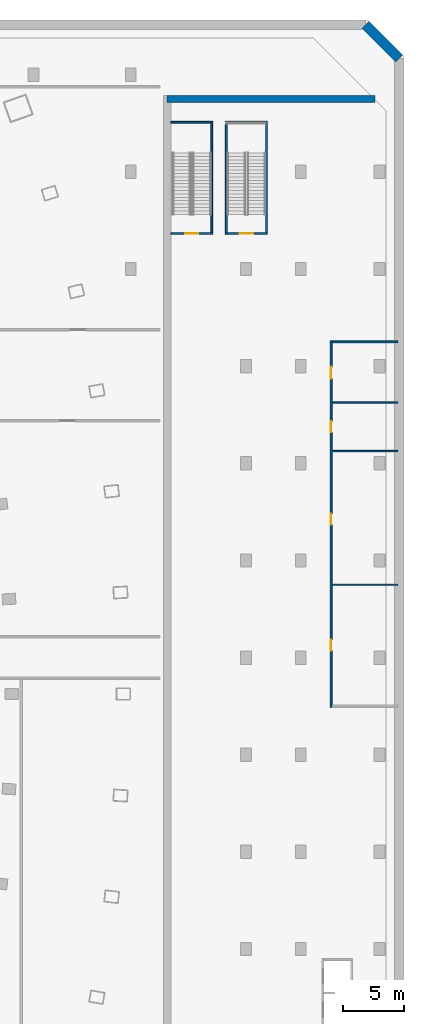
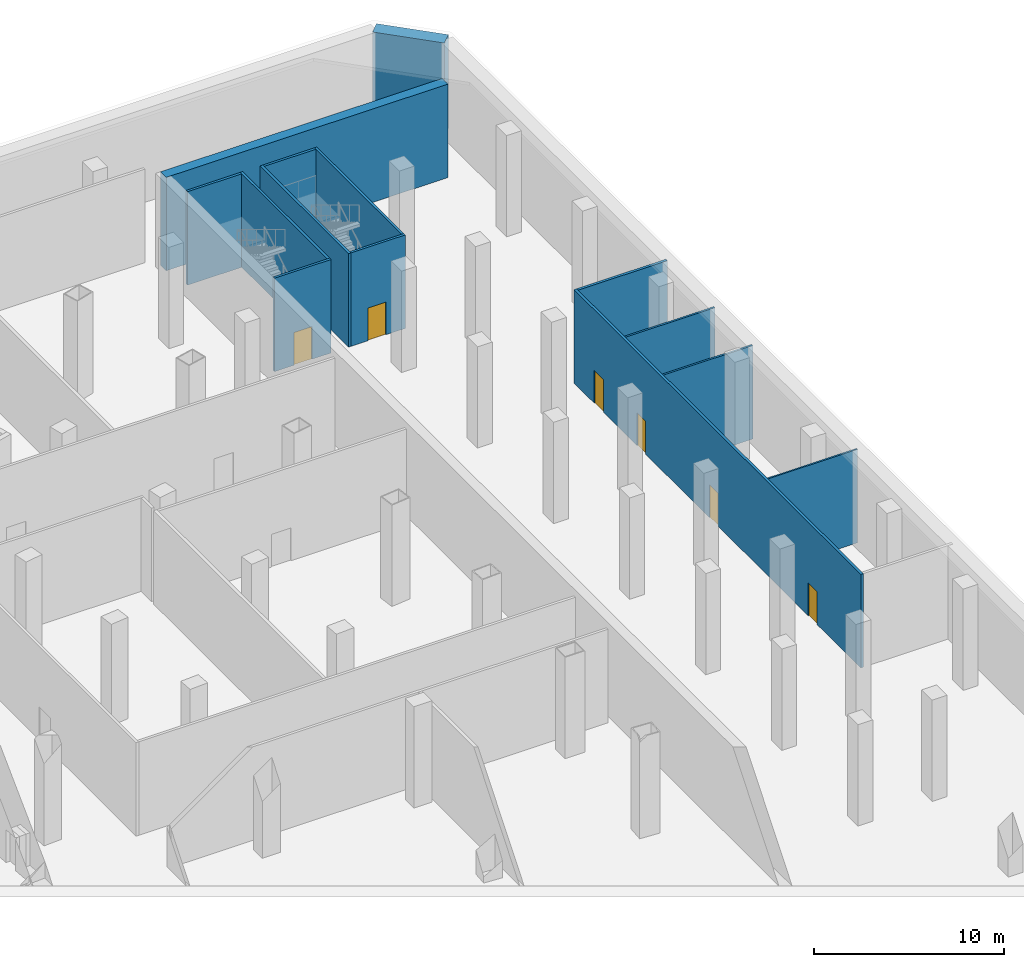
# One storey, part 10 of 16: 14 walls, 6 doors, 6 openings.
"""IFC4 building model written with IfcOpenShell, lengths in metres."""

from ifc_helpers import new_model, si_unit, direction, frame, frame_2d, origin, place, context, subcontext, project, spatial, rectangle, extrude, material, layer, layer_set, type_object, element, fill, save


model = new_model("IFC4")

# Units and contexts
model_context = context("Model", 3, precision=1e-05, world=origin(), true_north=direction((0.0, 1.0)))
body_context = subcontext(model_context, "Body", "Model", "MODEL_VIEW")
ifc_project = project(units=[si_unit("LENGTHUNIT", "METRE"), si_unit("AREAUNIT", "SQUARE_METRE"), si_unit("VOLUMEUNIT", "CUBIC_METRE"), si_unit("PLANEANGLEUNIT", "RADIAN"), si_unit("MASSUNIT", "GRAM", prefix="KILO")], contexts=[model_context])

# Site, building, storey
site_placement = place(None, origin())
site = spatial("IfcSite", under=ifc_project, at=site_placement, CompositionType="ELEMENT")
building_placement = place(site_placement, origin())
building = spatial("IfcBuilding", under=site, at=building_placement, Name="Alderwake Tower", CompositionType="ELEMENT")
storey_placement = place(building_placement, frame((0.0, 0.0, -6.5)))
storey = spatial("IfcBuildingStorey", under=building, at=storey_placement, Name="B1", CompositionType="ELEMENT", Elevation=-6.5)

# Wall
ifc_material_1 = material(Name="Concrete C50/60", Category="concrete")
ifc_layer_1 = layer(ifc_material_1, 0.800048828125)
ifc_layer_set_1 = layer_set([ifc_layer_1], Name="Basement retaining wall 800")
wall_type_1 = type_object("IfcWallType", Name="Basement retaining wall 800", PredefinedType="SOLIDWALL", material=ifc_layer_set_1)
wall_1_placement = place(storey_placement, frame((83.334228515625, 116.10009765625, 0.0), z_axis=(0.0, 0.0, 1.0), x_axis=(0.707106781187, -0.707106781187, 0.0)))
element("IfcWall", 1, at=wall_1_placement, inside=storey, type_object=wall_type_1, Name="Retaining wall 5", PredefinedType="SOLIDWALL", context=body_context, shape_type="SweptSolid", body=[
    extrude(rectangle(XDim=3.91162109375, YDim=0.800048828125, at=frame_2d((1.955810546875, 0.0))), origin(), (0.0, 0.0, 1.0), 6.0),
])

# Wall, openings, doors
ifc_material_2 = material(Name="Gypsum board on metal studs, rated")
ifc_layer_2 = layer(ifc_material_2, 0.159912109375)
ifc_layer_set_2 = layer_set([ifc_layer_2], Name="Corridor wall 160")
wall_type_2 = type_object("IfcWallType", Name="Corridor wall 160", PredefinedType="PARTITIONING", material=ifc_layer_set_2)
wall_2_placement = place(storey_placement, frame((80.4990234375, 59.919921875, 0.0), z_axis=(0.0, 0.0, 1.0), x_axis=(0.0, 1.0, 0.0)))
wall_2 = element("IfcWall", 2, at=wall_2_placement, inside=storey, type_object=wall_type_2, Name="WL/B1/W57", PredefinedType="PARTITIONING", context=body_context, shape_type="SweptSolid", body=[
    extrude(rectangle(XDim=30.16015625, YDim=0.159912109375, at=frame_2d((15.080078125, 0.0))), origin(), (0.0, 0.0, 1.0), 6.0),
])
opening_1_placement = place(wall_2_placement, frame((4.6298828125, 0.0, 0.0)))
opening_1 = element("IfcOpeningElement", 3, at=opening_1_placement, cuts=wall_2, Name="Opening B1-06", PredefinedType="OPENING", context=body_context, shape_type="SweptSolid", body=[
    extrude(rectangle(XDim=0.89990234375, YDim=2.10009765625, at=frame_2d((0.449951171875, 1.050048828125))), frame((0.0, 0.08984375, 0.0), z_axis=(0.0, -1.0, 0.0), x_axis=(1.0, 0.0, 0.0)), (0.0, 0.0, 1.0), 0.179931640625),
])
opening_2_placement = place(wall_2_placement, frame((15.030029296875, 0.0, 0.0)))
opening_2 = element("IfcOpeningElement", 4, at=opening_2_placement, cuts=wall_2, Name="Opening B1-07", PredefinedType="OPENING", context=body_context, shape_type="SweptSolid", body=[
    extrude(rectangle(XDim=0.89990234375, YDim=2.10009765625, at=frame_2d((0.449951171875, 1.050048828125))), frame((0.0, 0.08984375, 0.0), z_axis=(0.0, -1.0, 0.0), x_axis=(1.0, 0.0, 0.0)), (0.0, 0.0, 1.0), 0.179931640625),
])
opening_3_placement = place(wall_2_placement, frame((22.6298828125, 0.0, 0.0)))
opening_3 = element("IfcOpeningElement", 5, at=opening_3_placement, cuts=wall_2, Name="Opening B1-08", PredefinedType="OPENING", context=body_context, shape_type="SweptSolid", body=[
    extrude(rectangle(XDim=0.89990234375, YDim=2.10009765625, at=frame_2d((0.449951171875, 1.050048828125))), frame((0.0, 0.08984375, 0.0), z_axis=(0.0, -1.0, 0.0), x_axis=(1.0, 0.0, 0.0)), (0.0, 0.0, 1.0), 0.179931640625),
])
opening_4_placement = place(wall_2_placement, frame((27.030029296875, 0.0, 0.0)))
opening_4 = element("IfcOpeningElement", 6, at=opening_4_placement, cuts=wall_2, Name="Opening B1-09", PredefinedType="OPENING", context=body_context, shape_type="SweptSolid", body=[
    extrude(rectangle(XDim=1.0, YDim=2.10009765625, at=frame_2d((0.5, 1.050048828125))), frame((0.0, 0.08984375, 0.0), z_axis=(0.0, -1.0, 0.0), x_axis=(1.0, 0.0, 0.0)), (0.0, 0.0, 1.0), 0.179931640625),
])
ifc_material_3 = material(Name="Painted timber leaf", Category="wood")
door_type_1 = type_object("IfcDoorType", Name="Accessible WC door 1000", OperationType="SINGLE_SWING_LEFT", PredefinedType="DOOR", material=ifc_material_3)
door_1_placement = place(opening_4_placement, origin())
door_1 = element("IfcDoor", 7, at=door_1_placement, inside=storey, type_object=door_type_1, Name="DR/B1/09", OperationType="SINGLE_SWING_LEFT", OverallHeight=2.10009765625, OverallWidth=1.0, PredefinedType="DOOR", context=body_context, shape_type="SweptSolid", body=[
    extrude(rectangle(XDim=1.0, YDim=2.10009765625, at=frame_2d((0.5, 1.050048828125))), frame((0.0, 0.02490234375, 0.0), z_axis=(0.0, -1.0, 0.0), x_axis=(1.0, 0.0, 0.0)), (0.0, 0.0, 1.0), 0.050048828125),
])
fill(opening_4, door_1)
ifc_material_4 = material(Name="Painted timber leaf", Category="wood")
door_type_2 = type_object("IfcDoorType", Name="Room door 900", OperationType="SINGLE_SWING_LEFT", PredefinedType="DOOR", material=ifc_material_4)
door_2_placement = place(opening_1_placement, origin())
door_2 = element("IfcDoor", 8, at=door_2_placement, inside=storey, type_object=door_type_2, Name="DR/B1/06", OperationType="SINGLE_SWING_LEFT", OverallHeight=2.10009765625, OverallWidth=0.89990234375, PredefinedType="DOOR", context=body_context, shape_type="SweptSolid", body=[
    extrude(rectangle(XDim=0.89990234375, YDim=2.10009765625, at=frame_2d((0.449951171875, 1.050048828125))), frame((0.0, 0.02490234375, 0.0), z_axis=(0.0, -1.0, 0.0), x_axis=(1.0, 0.0, 0.0)), (0.0, 0.0, 1.0), 0.050048828125),
])
fill(opening_1, door_2)
door_3_placement = place(opening_2_placement, origin())
door_3 = element("IfcDoor", 9, at=door_3_placement, inside=storey, type_object=door_type_2, Name="DR/B1/07", OperationType="SINGLE_SWING_LEFT", OverallHeight=2.10009765625, OverallWidth=0.89990234375, PredefinedType="DOOR", context=body_context, shape_type="SweptSolid", body=[
    extrude(rectangle(XDim=0.89990234375, YDim=2.10009765625, at=frame_2d((0.449951171875, 1.050048828125))), frame((0.0, 0.02490234375, 0.0), z_axis=(0.0, -1.0, 0.0), x_axis=(1.0, 0.0, 0.0)), (0.0, 0.0, 1.0), 0.050048828125),
])
fill(opening_2, door_3)
door_4_placement = place(opening_3_placement, origin())
door_4 = element("IfcDoor", 10, at=door_4_placement, inside=storey, type_object=door_type_2, Name="DR/B1/08", OperationType="SINGLE_SWING_LEFT", OverallHeight=2.10009765625, OverallWidth=0.89990234375, PredefinedType="DOOR", context=body_context, shape_type="SweptSolid", body=[
    extrude(rectangle(XDim=0.89990234375, YDim=2.10009765625, at=frame_2d((0.449951171875, 1.050048828125))), frame((0.0, 0.02490234375, 0.0), z_axis=(0.0, -1.0, 0.0), x_axis=(1.0, 0.0, 0.0)), (0.0, 0.0, 1.0), 0.050048828125),
])
fill(opening_3, door_4)

# Wall
wall_3_placement = place(storey_placement, frame((80.5791015625, 90.0, 0.0), z_axis=(0.0, 0.0, 1.0), x_axis=(1.0, 0.0, 0.0)))
element("IfcWall", 11, at=wall_3_placement, inside=storey, type_object=wall_type_2, Name="WL/B1/W58", PredefinedType="PARTITIONING", context=body_context, shape_type="SweptSolid", body=[
    extrude(rectangle(XDim=5.421875, YDim=0.159912109375, at=frame_2d((2.7109375, 0.0))), origin(), (0.0, 0.0, 1.0), 6.0),
])

# Wall, opening, door
ifc_material_5 = material(Name="Gypsum shaft wall system, rated")
ifc_layer_3 = layer(ifc_material_5, 0.14990234375)
ifc_layer_set_3 = layer_set([ifc_layer_3], Name="Riser and shaft wall 150")
wall_type_3 = type_object("IfcWallType", Name="Riser and shaft wall 150", PredefinedType="PARTITIONING", material=ifc_layer_set_3)
wall_4_placement = place(storey_placement, frame((70.7490234375, 98.925048828125, 0.0), z_axis=(0.0, 0.0, 1.0), x_axis=(-1.0, 0.0, 0.0)))
wall_4 = element("IfcWall", 12, at=wall_4_placement, inside=storey, type_object=wall_type_3, Name="WL/B1/W12", PredefinedType="PARTITIONING", context=body_context, shape_type="SweptSolid", body=[
    extrude(rectangle(XDim=3.448974609375, YDim=0.14990234375, at=frame_2d((1.724609375, 0.0))), origin(), (0.0, 0.0, 1.0), 6.0),
])
opening_5_placement = place(wall_4_placement, frame((1.174072265625, 0.0, 0.0)))
opening_5 = element("IfcOpeningElement", 13, at=opening_5_placement, cuts=wall_4, Name="Opening B1-13", PredefinedType="OPENING", context=body_context, shape_type="SweptSolid", body=[
    extrude(rectangle(XDim=1.10009765625, YDim=2.10009765625, at=frame_2d((0.550048828125, 1.050048828125))), frame((0.0, 0.0849609375, 0.0), z_axis=(0.0, -1.0, 0.0), x_axis=(1.0, 0.0, 0.0)), (0.0, 0.0, 1.0), 0.169921875),
])
ifc_material_6 = material(Name="Steel-framed fire door leaf", Category="steel")
door_type_3 = type_object("IfcDoorType", Name="Stair door 1100 fire-rated", OperationType="SINGLE_SWING_LEFT", PredefinedType="DOOR", material=ifc_material_6)
door_5_placement = place(opening_5_placement, origin())
door_5 = element("IfcDoor", 14, at=door_5_placement, inside=storey, type_object=door_type_3, Name="DR/B1/13", OperationType="SINGLE_SWING_LEFT", OverallHeight=2.10009765625, OverallWidth=1.10009765625, PredefinedType="DOOR", context=body_context, shape_type="SweptSolid", body=[
    extrude(rectangle(XDim=1.10009765625, YDim=2.10009765625, at=frame_2d((0.550048828125, 1.050048828125))), frame((0.0, 0.02490234375, 0.0), z_axis=(0.0, -1.0, 0.0), x_axis=(1.0, 0.0, 0.0)), (0.0, 0.0, 1.0), 0.050048828125),
])
fill(opening_5, door_5)

wall_5_placement = place(storey_placement, frame((75.2490234375, 98.925048828125, 0.0), z_axis=(0.0, 0.0, 1.0), x_axis=(-1.0, 0.0, 0.0)))
wall_5 = element("IfcWall", 15, at=wall_5_placement, inside=storey, type_object=wall_type_3, Name="WL/B1/W18", PredefinedType="PARTITIONING", context=body_context, shape_type="SweptSolid", body=[
    extrude(rectangle(XDim=3.300048828125, YDim=0.14990234375, at=frame_2d((1.64990234375, 0.0))), origin(), (0.0, 0.0, 1.0), 6.0),
])
opening_6_placement = place(wall_5_placement, frame((1.174072265625, 0.0, 0.0)))
opening_6 = element("IfcOpeningElement", 16, at=opening_6_placement, cuts=wall_5, Name="Opening B1-14", PredefinedType="OPENING", context=body_context, shape_type="SweptSolid", body=[
    extrude(rectangle(XDim=1.10009765625, YDim=2.10009765625, at=frame_2d((0.550048828125, 1.050048828125))), frame((0.0, 0.0849609375, 0.0), z_axis=(0.0, -1.0, 0.0), x_axis=(1.0, 0.0, 0.0)), (0.0, 0.0, 1.0), 0.169921875),
])
door_6_placement = place(opening_6_placement, origin())
door_6 = element("IfcDoor", 17, at=door_6_placement, inside=storey, type_object=door_type_3, Name="DR/B1/14", OperationType="SINGLE_SWING_LEFT", OverallHeight=2.10009765625, OverallWidth=1.10009765625, PredefinedType="DOOR", context=body_context, shape_type="SweptSolid", body=[
    extrude(rectangle(XDim=1.10009765625, YDim=2.10009765625, at=frame_2d((0.550048828125, 1.050048828125))), frame((0.0, 0.02490234375, 0.0), z_axis=(0.0, -1.0, 0.0), x_axis=(1.0, 0.0, 0.0)), (0.0, 0.0, 1.0), 0.050048828125),
])
fill(opening_6, door_6)

# Walls
ifc_material_7 = material(Name="Concrete C40/50", Category="concrete")
ifc_layer_4 = layer(ifc_material_7, 0.14990234375)
ifc_layer_set_4 = layer_set([ifc_layer_4], Name="Stair shaft wall 150 C40/50")
wall_type_4 = type_object("IfcWallType", Name="Stair shaft wall 150 C40/50", PredefinedType="SHEAR", material=ifc_layer_set_4)
wall_6_placement = place(storey_placement, frame((70.674072265625, 99.0, 0.0), z_axis=(0.0, 0.0, 1.0), x_axis=(0.0, 1.0, 0.0)))
element("IfcWall", 18, at=wall_6_placement, inside=storey, type_object=wall_type_4, Name="WL/B1/W15", PredefinedType="SHEAR", context=body_context, shape_type="SweptSolid", body=[
    extrude(rectangle(XDim=9.14990234375, YDim=0.14990234375, at=frame_2d((4.574951171875, 0.0))), origin(), (0.0, 0.0, 1.0), 6.0),
])
wall_7_placement = place(storey_placement, frame((70.59912109375, 108.074951171875, 0.0), z_axis=(0.0, 0.0, 1.0), x_axis=(-1.0, 0.0, 0.0)))
element("IfcWall", 19, at=wall_7_placement, inside=storey, type_object=wall_type_4, Name="WL/B1/W16", PredefinedType="SHEAR", context=body_context, shape_type="SweptSolid", body=[
    extrude(rectangle(XDim=3.299072265625, YDim=0.14990234375, at=frame_2d((1.6494140625, 0.0))), origin(), (0.0, 0.0, 1.0), 6.0),
])
wall_8_placement = place(storey_placement, frame((71.8740234375, 98.85009765625, 0.0), z_axis=(0.0, 0.0, 1.0), x_axis=(0.0, 1.0, 0.0)))
element("IfcWall", 20, at=wall_8_placement, inside=storey, type_object=wall_type_4, Name="WL/B1/W17", PredefinedType="SHEAR", context=body_context, shape_type="SweptSolid", body=[
    extrude(rectangle(XDim=9.2998046875, YDim=0.14990234375, at=frame_2d((4.64990234375, 0.0))), origin(), (0.0, 0.0, 1.0), 6.0),
])
wall_9_placement = place(storey_placement, frame((75.174072265625, 99.0, 0.0), z_axis=(0.0, 0.0, 1.0), x_axis=(0.0, 1.0, 0.0)))
element("IfcWall", 21, at=wall_9_placement, inside=storey, type_object=wall_type_4, Name="WL/B1/W19", PredefinedType="SHEAR", context=body_context, shape_type="SweptSolid", body=[
    extrude(rectangle(XDim=9.14990234375, YDim=0.14990234375, at=frame_2d((4.574951171875, 0.0))), origin(), (0.0, 0.0, 1.0), 6.0),
])
wall_10_placement = place(storey_placement, frame((75.09912109375, 108.074951171875, 0.0), z_axis=(0.0, 0.0, 1.0), x_axis=(-1.0, 0.0, 0.0)))
element("IfcWall", 22, at=wall_10_placement, inside=storey, type_object=wall_type_4, Name="WL/B1/W20", PredefinedType="SHEAR", context=body_context, shape_type="SweptSolid", body=[
    extrude(rectangle(XDim=3.150146484375, YDim=0.14990234375, at=frame_2d((1.5751953125, 0.0))), origin(), (0.0, 0.0, 1.0), 6.0),
])
ifc_material_8 = material(Name="Concrete C70/85", Category="concrete")
ifc_layer_5 = layer(ifc_material_8, 0.60009765625)
ifc_layer_set_5 = layer_set([ifc_layer_5], Name="Station box wall 600")
wall_type_5 = type_object("IfcWallType", Name="Station box wall 600", PredefinedType="SHEAR", material=ifc_layer_set_5)
wall_11_placement = place(storey_placement, frame((67.0, 110.0, 0.0), z_axis=(0.0, 0.0, 1.0), x_axis=(1.0, 0.0, 0.0)))
element("IfcWall", 23, at=wall_11_placement, inside=storey, type_object=wall_type_5, Name="Station box wall N", PredefinedType="SHEAR", context=body_context, shape_type="SweptSolid", body=[
    extrude(rectangle(XDim=17.10009765625, YDim=0.60009765625, at=frame_2d((8.550048828125, 0.0))), origin(), (0.0, 0.0, 1.0), 6.0),
])
ifc_material_9 = material(Name="Gypsum board on metal studs")
ifc_layer_6 = layer(ifc_material_9, 0.10009765625)
ifc_layer_set_6 = layer_set([ifc_layer_6], Name="Unit partition 100")
wall_type_6 = type_object("IfcWallType", Name="Unit partition 100", PredefinedType="PARTITIONING", material=ifc_layer_set_6)
wall_12_placement = place(storey_placement, frame((86.0009765625, 69.9990234375, 0.0), z_axis=(0.0, 0.0, 1.0), x_axis=(-1.0, 0.0, 0.0)))
element("IfcWall", 24, at=wall_12_placement, inside=storey, type_object=wall_type_6, Name="WL/B1/W65", PredefinedType="PARTITIONING", context=body_context, shape_type="SweptSolid", body=[
    extrude(rectangle(XDim=5.421875, YDim=0.10009765625, at=frame_2d((2.7109375, 0.0))), origin(), (0.0, 0.0, 1.0), 6.0),
])
ifc_material_10 = material(Name="Moisture resistant gypsum board on metal studs")
ifc_layer_7 = layer(ifc_material_10, 0.1201171875)
ifc_layer_set_7 = layer_set([ifc_layer_7], Name="Wet room partition 120")
wall_type_7 = type_object("IfcWallType", Name="Wet room partition 120", PredefinedType="PARTITIONING", material=ifc_layer_set_7)
for number, where, z_axis, x_axis, name in (
    (25, (86.0009765625, 81.0, 0.0), (0.0, 0.0, 1.0), (-1.0, 0.0, 0.0), "WL/B1/W63"),
    (26, (86.0009765625, 84.9990234375, 0.0), (0.0, 0.0, 1.0), (-1.0, 0.0, 0.0), "WL/B1/W64"),
):
    element("IfcWall", number, at=place(storey_placement, frame(where, z_axis=z_axis, x_axis=x_axis)), inside=storey, type_object=wall_type_7, Name=name, PredefinedType="PARTITIONING", context=body_context, shape_type="SweptSolid", body=[
        extrude(rectangle(XDim=5.421875, YDim=0.1201171875, at=frame_2d((2.7109375, 0.0))), origin(), (0.0, 0.0, 1.0), 6.0),
    ])

save(model, "model.ifc")
